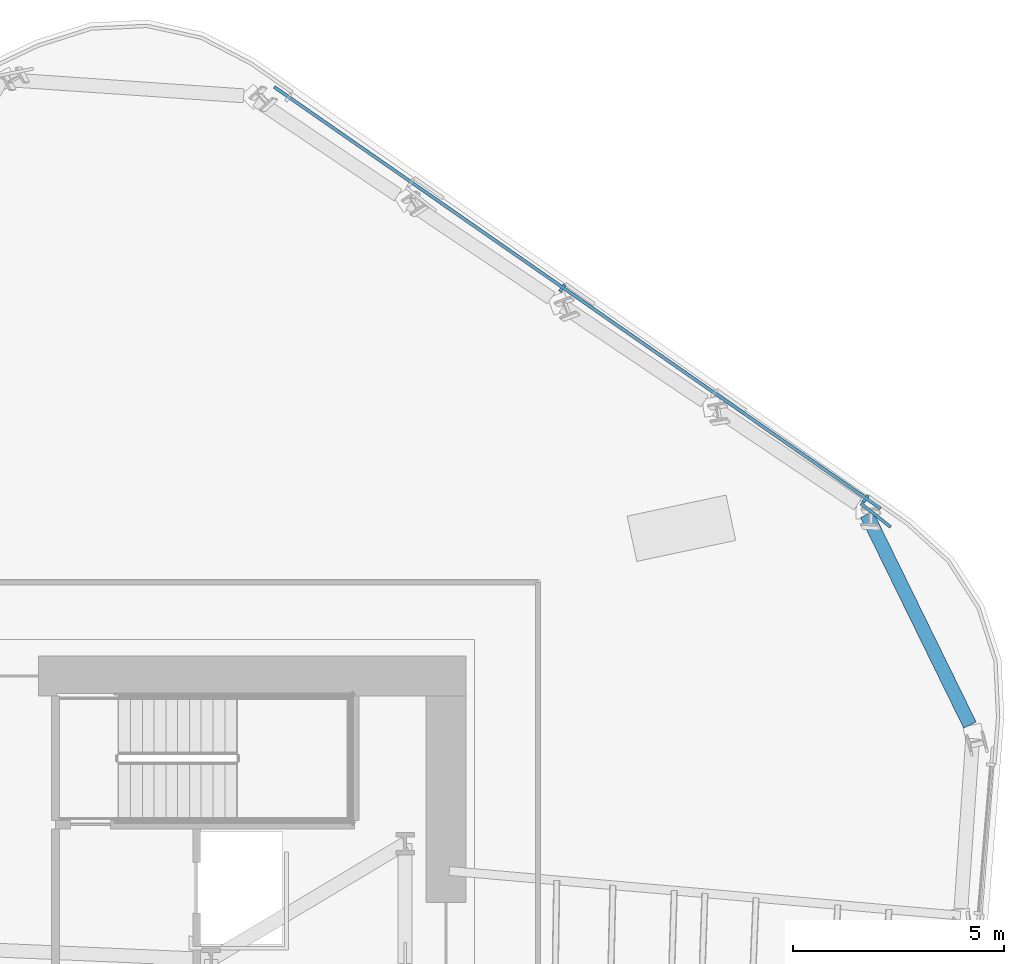
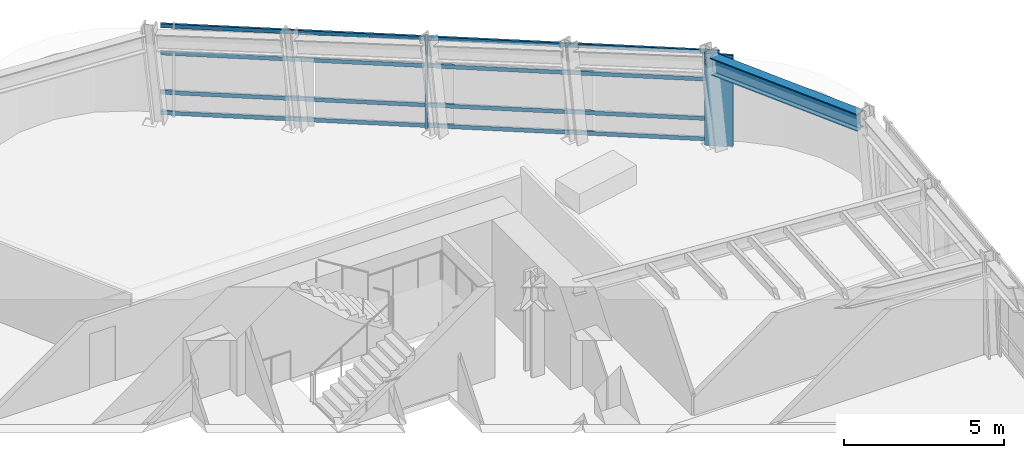
# One storey, part 7 of 19: 7 members, 1 beam, 1 element without a shape of its own.
"""IFC4 building model written with IfcOpenShell, lengths in metres."""

from ifc_helpers import new_model, si_unit, direction, frame, origin, origin_2d, place, context, subcontext, project, spatial, rectangle, i_section, extrude, material, layer, layer_set, material_profile, profile_set, type_object, element, aggregate, save


model = new_model("IFC4")

# Units and contexts
model_context = context("Model", 3, precision=1e-05, world=origin(), true_north=direction((0.0, 1.0)))
body_context = subcontext(model_context, "Body", "Model", "MODEL_VIEW")
ifc_project = project(units=[si_unit("LENGTHUNIT", "METRE"), si_unit("AREAUNIT", "SQUARE_METRE"), si_unit("VOLUMEUNIT", "CUBIC_METRE"), si_unit("PLANEANGLEUNIT", "RADIAN"), si_unit("MASSUNIT", "GRAM", prefix="KILO")], contexts=[model_context])

# Site, building, storey
site_placement = place(None, origin())
site = spatial("IfcSite", under=ifc_project, at=site_placement, CompositionType="ELEMENT")
building_placement = place(site_placement, origin())
building = spatial("IfcBuilding", under=site, at=building_placement, Name="Valkerne Bourse Tower", CompositionType="ELEMENT")
storey_placement = place(building_placement, frame((0.0, 0.0, 131.39990234375)))
storey = spatial("IfcBuildingStorey", under=building, at=storey_placement, Name="L33", CompositionType="ELEMENT", Elevation=131.39990234375)

# Beam
ifc_material_1 = material(Name="Steel ASTM A992", Category="steel")
ifc_material_profile_1 = material_profile(ifc_material_1, i_section(OverallWidth=0.330078125, OverallDepth=0.647705078125, WebThickness=0.0205078125, FlangeThickness=0.037109375, FilletRadius=0.020263671875, at=origin_2d()), Name="W24X192")
ifc_profile_set_1 = profile_set([ifc_material_profile_1], Name="Steel ASTM A992")
beam_type = type_object("IfcBeamType", Name="BM-W24X192", PredefinedType="SPANDREL", material=ifc_profile_set_1)
beam_placement = place(storey_placement, frame((68.3603515625, 34.464111328125, 3.1962890625), z_axis=(-0.439933164117, 0.898030517917, 0.0), x_axis=(-0.898030517917, -0.439933164117, 0.0)))
element("IfcBeam", 1, at=beam_placement, inside=storey, type_object=beam_type, Name="L33 Hexagonal Spandrel Ring Beam 29", PredefinedType="SPANDREL", context=body_context, shape_type="SweptSolid", body=[
    extrude(i_section(OverallWidth=0.330078125, OverallDepth=0.647705078125, WebThickness=0.0205078125, FlangeThickness=0.037109375, FilletRadius=0.020263671875, at=origin_2d()), origin(), (0.0, 0.0, 1.0), 5.564453125),
])

# Curtain wall, members
ifc_material_2 = material(Name="Aluminium AA 6063-T6", Category="aluminium")
ifc_layer = layer(ifc_material_2, 0.22998046875)
ifc_layer_set = layer_set([ifc_layer], Name="Aluminium AA 6063-T6")
curtain_wall_type = type_object("IfcCurtainWallType", Name="CW-02", PredefinedType="NOTDEFINED", material=ifc_layer_set)
curtain_wall_placement = place(storey_placement, origin())
curtain_wall = element("IfcCurtainWall", 2, at=curtain_wall_placement, inside=storey, type_object=curtain_wall_type, Name="L33 Hexagonal Stick Curtain Wall Face 1", PredefinedType="NOTDEFINED")
ifc_material_profile_2 = material_profile(ifc_material_2, rectangle(XDim=0.074951171875, YDim=0.199951171875, at=origin_2d()), Name="CWM-75X200")
ifc_profile_set_2 = profile_set([ifc_material_profile_2], Name="Aluminium AA 6063-T6")
member_type_1 = type_object("IfcMemberType", Name="CW-MUL-220X75", PredefinedType="MULLION", material=ifc_profile_set_2)
member_1_placement = place(storey_placement, frame((65.88232421875, 39.832275390625, 0.0), z_axis=(0.0, 0.0, 1.0), x_axis=(-0.821153450054, 0.570707465751, 0.0)))
member_1 = element("IfcMember", 3, at=member_1_placement, type_object=member_type_1, Name="CW-L33-F1 Jamb Mullion 00A", PredefinedType="MULLION", context=body_context, shape_type="SweptSolid", body=[
    extrude(rectangle(XDim=0.074951171875, YDim=0.199951171875, at=origin_2d()), origin(), (0.0, 0.0, 1.0), 3.52001953125),
])
member_2_placement = place(storey_placement, frame((58.68408203125, 44.835205078125, 0.0), z_axis=(0.0, 0.0, 1.0), x_axis=(-0.821146018677, 0.570718158123, 0.0)))
member_2 = element("IfcMember", 4, at=member_2_placement, type_object=member_type_1, Name="CW-L33-F1 Jamb Mullion 02A", PredefinedType="MULLION", context=body_context, shape_type="SweptSolid", body=[
    extrude(rectangle(XDim=0.074951171875, YDim=0.199951171875, at=origin_2d()), origin(), (0.0, 0.0, 1.0), 3.52001953125),
])
ifc_material_profile_3 = material_profile(ifc_material_2, rectangle(XDim=0.074951171875, YDim=0.14990234375, at=origin_2d()), Name="CWT-75X150")
ifc_profile_set_3 = profile_set([ifc_material_profile_3], Name="Aluminium AA 6063-T6")
member_type_2 = type_object("IfcMemberType", Name="CW-TRN-180X65", PredefinedType="USERDEFINED", material=ifc_profile_set_3)
member_3_placement = place(storey_placement, frame((66.23876953125, 39.60888671875, 0.1201171875), z_axis=(-0.82115461034, 0.570705796289, 0.0), x_axis=(-0.570705796289, -0.82115461034, 0.0)))
member_3 = element("IfcMember", 5, at=member_3_placement, type_object=member_type_2, Name="CW-L33-F1 Continuous Face Transom 1", ObjectType="TRANSOM", PredefinedType="USERDEFINED", context=body_context, shape_type="SweptSolid", body=[
    extrude(rectangle(XDim=0.074951171875, YDim=0.14990234375, at=origin_2d()), origin(), (0.0, 0.0, 1.0), 17.531982421875),
])
member_4_placement = place(storey_placement, frame((66.23876953125, 39.60888671875, 0.900146484375), z_axis=(-0.82115461034, 0.570705796289, 0.0), x_axis=(-0.570705796289, -0.82115461034, 0.0)))
member_4 = element("IfcMember", 6, at=member_4_placement, type_object=member_type_2, Name="CW-L33-F1 Continuous Face Transom 2", ObjectType="TRANSOM", PredefinedType="USERDEFINED", context=body_context, shape_type="SweptSolid", body=[
    extrude(rectangle(XDim=0.074951171875, YDim=0.14990234375, at=origin_2d()), origin(), (0.0, 0.0, 1.0), 17.531982421875),
])
member_5_placement = place(storey_placement, frame((66.23876953125, 39.60888671875, 2.400146484375), z_axis=(-0.82115461034, 0.570705796289, 0.0), x_axis=(-0.570705796289, -0.82115461034, 0.0)))
member_5 = element("IfcMember", 7, at=member_5_placement, type_object=member_type_2, Name="CW-L33-F1 Continuous Face Transom 3", ObjectType="TRANSOM", PredefinedType="USERDEFINED", context=body_context, shape_type="SweptSolid", body=[
    extrude(rectangle(XDim=0.074951171875, YDim=0.14990234375, at=origin_2d()), origin(), (0.0, 0.0, 1.0), 17.531982421875),
])
member_6_placement = place(storey_placement, frame((66.23876953125, 39.60888671875, 3.440185546875), z_axis=(-0.82115461034, 0.570705796289, 0.0), x_axis=(-0.570705796289, -0.82115461034, 0.0)))
member_6 = element("IfcMember", 8, at=member_6_placement, type_object=member_type_2, Name="CW-L33-F1 Continuous Face Transom 4", ObjectType="TRANSOM", PredefinedType="USERDEFINED", context=body_context, shape_type="SweptSolid", body=[
    extrude(rectangle(XDim=0.074951171875, YDim=0.14990234375, at=origin_2d()), origin(), (0.0, 0.0, 1.0), 17.531982421875),
])
aggregate(curtain_wall, [member_3, member_4, member_5, member_6, member_1, member_2])

# Member
ifc_material_3 = material(Name="Bronze Anodised Aluminium AA 6063-T6", Category="aluminium")
ifc_material_profile_4 = material_profile(ifc_material_3, rectangle(XDim=0.070068359375, YDim=0.89990234375, at=origin_2d()), Name="FIN-70X900")
ifc_profile_set_4 = profile_set([ifc_material_profile_4], Name="Bronze Anodised Aluminium AA 6063-T6")
member_type_3 = type_object("IfcMemberType", Name="FIN-SOLAR-900", PredefinedType="USERDEFINED", material=ifc_profile_set_4)
member_7_placement = place(storey_placement, frame((66.12451171875, 39.444580078125, 0.004150390625), z_axis=(0.0, 0.0, 1.0), x_axis=(0.620494932624, 0.784210455546, 0.0)))
element("IfcMember", 9, at=member_7_placement, inside=storey, type_object=member_type_3, Name="L33 Bronze Anodised Solar Fin F1-00", ObjectType="SOLAR_FIN", PredefinedType="USERDEFINED", context=body_context, shape_type="SweptSolid", body=[
    extrude(rectangle(XDim=0.070068359375, YDim=0.89990234375, at=origin_2d()), origin(), (0.0, 0.0, 1.0), 3.511962890625),
])

save(model, "model.ifc")
